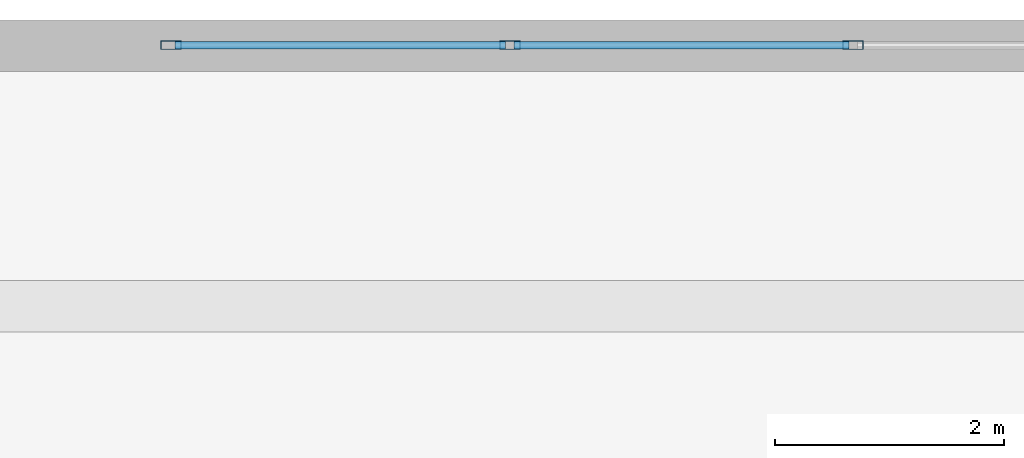
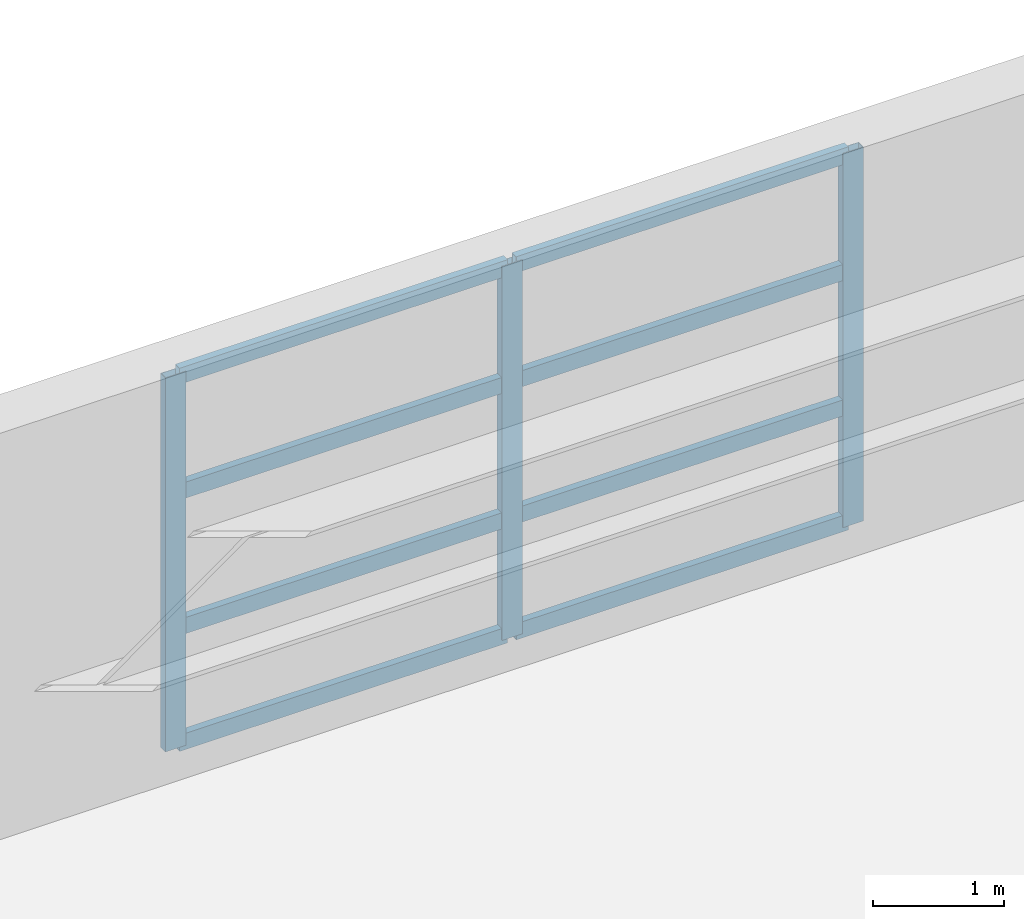
# One storey, part 9 of 25: 11 members, 1 element without a shape of its own.
"""IFC4 building model written with IfcOpenShell, lengths in metres."""

from ifc_helpers import new_model, si_unit, direction, frame, origin, origin_2d, place, context, subcontext, project, spatial, hollow_rectangle, extrude, material, layer, layer_set, material_profile, profile_set, type_object, element, aggregate, save


model = new_model("IFC4")

# Units and contexts
model_context = context("Model", 3, precision=1e-05, world=origin(), true_north=direction((0.0, 1.0)))
body_context = subcontext(model_context, "Body", "Model", "MODEL_VIEW")
ifc_project = project(units=[si_unit("LENGTHUNIT", "METRE"), si_unit("AREAUNIT", "SQUARE_METRE"), si_unit("VOLUMEUNIT", "CUBIC_METRE"), si_unit("PLANEANGLEUNIT", "RADIAN"), si_unit("MASSUNIT", "GRAM", prefix="KILO")], contexts=[model_context])

# Site, building, storey
site_placement = place(None, origin())
site = spatial("IfcSite", under=ifc_project, at=site_placement, CompositionType="ELEMENT")
building_placement = place(site_placement, origin())
building = spatial("IfcBuilding", under=site, at=building_placement, Name="Qiaolan Cultural Towers", CompositionType="ELEMENT")
storey_placement = place(building_placement, frame((0.0, 0.0, 22.0)))
storey = spatial("IfcBuildingStorey", under=building, at=storey_placement, Name="L04", CompositionType="ELEMENT", Elevation=22.0)

# Curtain wall, members
ifc_material_1 = material(Name="Unitized Anodized Aluminium Curtain Wall System", Category="aluminium")
ifc_layer = layer(ifc_material_1, 0.199951171875)
ifc_layer_set = layer_set([ifc_layer], Name="Unitized Anodized Aluminium Curtain Wall System")
curtain_wall_type = type_object("IfcCurtainWallType", Name="CWS-01", PredefinedType="NOTDEFINED", material=ifc_layer_set)
curtain_wall_placement = place(storey_placement, origin())
curtain_wall = element("IfcCurtainWall", 1, at=curtain_wall_placement, inside=storey, type_object=curtain_wall_type, Name="L04 North Atrium Curtain Wall", PredefinedType="NOTDEFINED")
ifc_material_2 = material(Name="Extruded Aluminium 6063-T6", Category="aluminium")
ifc_material_profile_1 = material_profile(ifc_material_2, hollow_rectangle(XDim=0.074951171875, YDim=0.179931640625, WallThickness=0.00390625, at=origin_2d()), Name="CWM-180x75x4")
ifc_profile_set_1 = profile_set([ifc_material_profile_1], Name="Extruded Aluminium 6063-T6")
member_type_1 = type_object("IfcMemberType", Name="CWS-01-MUL", PredefinedType="MULLION", material=ifc_profile_set_1)
member_1_placement = place(storey_placement, frame((50.03759765625, 67.780029296875, 0.14990234375), z_axis=(0.0, 0.0, 1.0), x_axis=(0.0, 1.0, 0.0)))
member_1 = element("IfcMember", 2, at=member_1_placement, type_object=member_type_1, Name="CW-1 mullion 1", PredefinedType="MULLION", context=body_context, shape_type="SweptSolid", body=[
    extrude(hollow_rectangle(XDim=0.074951171875, YDim=0.179931640625, WallThickness=0.00390625, at=origin_2d()), origin(), (0.0, 0.0, 1.0), 3.47998046875),
])
member_2_placement = place(storey_placement, frame((53.0, 67.780029296875, 0.14990234375), z_axis=(0.0, 0.0, 1.0), x_axis=(0.0, 1.0, 0.0)))
member_2 = element("IfcMember", 3, at=member_2_placement, type_object=member_type_1, Name="CW-1 mullion 2", PredefinedType="MULLION", context=body_context, shape_type="SweptSolid", body=[
    extrude(hollow_rectangle(XDim=0.074951171875, YDim=0.179931640625, WallThickness=0.00390625, at=origin_2d()), origin(), (0.0, 0.0, 1.0), 3.47998046875),
])
member_3_placement = place(storey_placement, frame((56.0, 67.780029296875, 0.14990234375), z_axis=(0.0, 0.0, 1.0), x_axis=(0.0, 1.0, 0.0)))
member_3 = element("IfcMember", 4, at=member_3_placement, type_object=member_type_1, Name="CW-1 mullion 3", PredefinedType="MULLION", context=body_context, shape_type="SweptSolid", body=[
    extrude(hollow_rectangle(XDim=0.074951171875, YDim=0.179931640625, WallThickness=0.00390625, at=origin_2d()), origin(), (0.0, 0.0, 1.0), 3.47998046875),
])
ifc_material_3 = material(Name="Extruded Aluminium 6063-T6", Category="aluminium")
ifc_material_profile_2 = material_profile(ifc_material_3, hollow_rectangle(XDim=0.06494140625, YDim=0.14990234375, WallThickness=0.00390625, at=origin_2d()), Name="CWT-150x65x4")
ifc_profile_set_2 = profile_set([ifc_material_profile_2], Name="Extruded Aluminium 6063-T6")
member_type_2 = type_object("IfcMemberType", Name="CWS-01-TRN", PredefinedType="USERDEFINED", material=ifc_profile_set_2)
member_4_placement = place(storey_placement, frame((50.074951171875, 67.780029296875, 0.1826171875), z_axis=(1.0, 0.0, 0.0), x_axis=(0.0, 1.0, 0.0)))
member_4 = element("IfcMember", 5, at=member_4_placement, type_object=member_type_2, Name="CW-1 transom 1.1", ObjectType="TRANSOM", PredefinedType="USERDEFINED", context=body_context, shape_type="SweptSolid", body=[
    extrude(hollow_rectangle(XDim=0.06494140625, YDim=0.14990234375, WallThickness=0.00390625, at=origin_2d()), origin(), (0.0, 0.0, 1.0), 2.887451171875),
])
member_5_placement = place(storey_placement, frame((50.074951171875, 67.780029296875, 1.260009765625), z_axis=(1.0, 0.0, 0.0), x_axis=(0.0, 1.0, 0.0)))
member_5 = element("IfcMember", 6, at=member_5_placement, type_object=member_type_2, Name="CW-1 transom 1.2", ObjectType="TRANSOM", PredefinedType="USERDEFINED", context=body_context, shape_type="SweptSolid", body=[
    extrude(hollow_rectangle(XDim=0.06494140625, YDim=0.14990234375, WallThickness=0.00390625, at=origin_2d()), origin(), (0.0, 0.0, 1.0), 2.887451171875),
])
member_6_placement = place(storey_placement, frame((50.074951171875, 67.780029296875, 2.52001953125), z_axis=(1.0, 0.0, 0.0), x_axis=(0.0, 1.0, 0.0)))
member_6 = element("IfcMember", 7, at=member_6_placement, type_object=member_type_2, Name="CW-1 transom 1.3", ObjectType="TRANSOM", PredefinedType="USERDEFINED", context=body_context, shape_type="SweptSolid", body=[
    extrude(hollow_rectangle(XDim=0.06494140625, YDim=0.14990234375, WallThickness=0.00390625, at=origin_2d()), origin(), (0.0, 0.0, 1.0), 2.887451171875),
])
member_7_placement = place(storey_placement, frame((50.074951171875, 67.780029296875, 3.597412109375), z_axis=(1.0, 0.0, 0.0), x_axis=(0.0, 1.0, 0.0)))
member_7 = element("IfcMember", 8, at=member_7_placement, type_object=member_type_2, Name="CW-1 transom 1.4", ObjectType="TRANSOM", PredefinedType="USERDEFINED", context=body_context, shape_type="SweptSolid", body=[
    extrude(hollow_rectangle(XDim=0.06494140625, YDim=0.14990234375, WallThickness=0.00390625, at=origin_2d()), origin(), (0.0, 0.0, 1.0), 2.887451171875),
])
member_8_placement = place(storey_placement, frame((53.03759765625, 67.780029296875, 0.1826171875), z_axis=(1.0, 0.0, 0.0), x_axis=(0.0, 1.0, 0.0)))
member_8 = element("IfcMember", 9, at=member_8_placement, type_object=member_type_2, Name="CW-1 transom 2.1", ObjectType="TRANSOM", PredefinedType="USERDEFINED", context=body_context, shape_type="SweptSolid", body=[
    extrude(hollow_rectangle(XDim=0.06494140625, YDim=0.14990234375, WallThickness=0.00390625, at=origin_2d()), origin(), (0.0, 0.0, 1.0), 2.9248046875),
])
member_9_placement = place(storey_placement, frame((53.03759765625, 67.780029296875, 1.260009765625), z_axis=(1.0, 0.0, 0.0), x_axis=(0.0, 1.0, 0.0)))
member_9 = element("IfcMember", 10, at=member_9_placement, type_object=member_type_2, Name="CW-1 transom 2.2", ObjectType="TRANSOM", PredefinedType="USERDEFINED", context=body_context, shape_type="SweptSolid", body=[
    extrude(hollow_rectangle(XDim=0.06494140625, YDim=0.14990234375, WallThickness=0.00390625, at=origin_2d()), origin(), (0.0, 0.0, 1.0), 2.9248046875),
])
member_10_placement = place(storey_placement, frame((53.03759765625, 67.780029296875, 2.52001953125), z_axis=(1.0, 0.0, 0.0), x_axis=(0.0, 1.0, 0.0)))
member_10 = element("IfcMember", 11, at=member_10_placement, type_object=member_type_2, Name="CW-1 transom 2.3", ObjectType="TRANSOM", PredefinedType="USERDEFINED", context=body_context, shape_type="SweptSolid", body=[
    extrude(hollow_rectangle(XDim=0.06494140625, YDim=0.14990234375, WallThickness=0.00390625, at=origin_2d()), origin(), (0.0, 0.0, 1.0), 2.9248046875),
])
member_11_placement = place(storey_placement, frame((53.03759765625, 67.780029296875, 3.597412109375), z_axis=(1.0, 0.0, 0.0), x_axis=(0.0, 1.0, 0.0)))
member_11 = element("IfcMember", 12, at=member_11_placement, type_object=member_type_2, Name="CW-1 transom 2.4", ObjectType="TRANSOM", PredefinedType="USERDEFINED", context=body_context, shape_type="SweptSolid", body=[
    extrude(hollow_rectangle(XDim=0.06494140625, YDim=0.14990234375, WallThickness=0.00390625, at=origin_2d()), origin(), (0.0, 0.0, 1.0), 2.9248046875),
])
aggregate(curtain_wall, [member_1, member_2, member_3, member_4, member_5, member_6, member_7, member_8, member_9, member_10, member_11])

save(model, "model.ifc")
